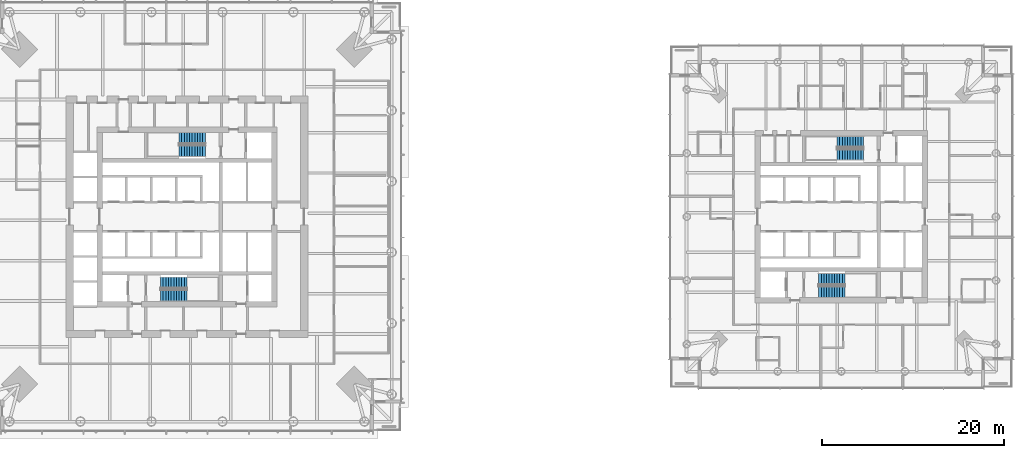
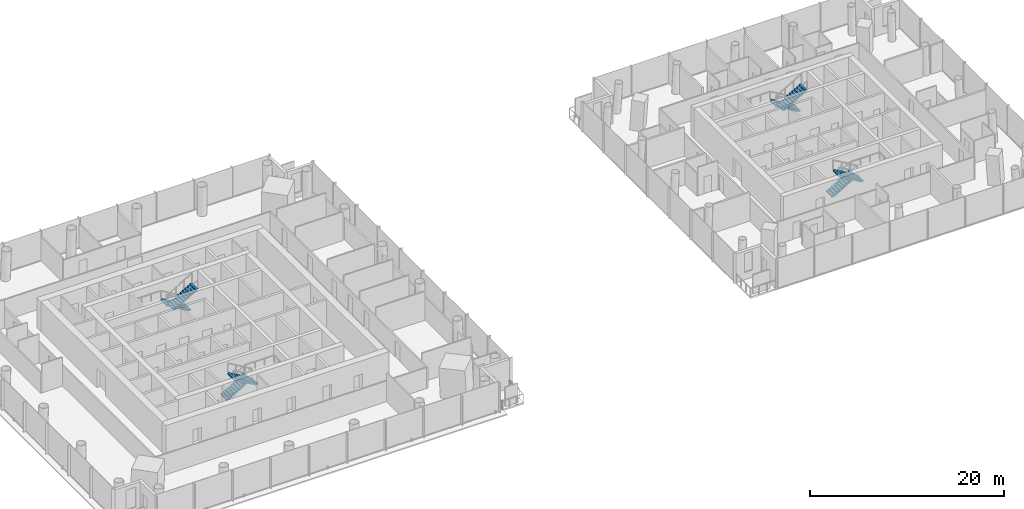
# One storey, part 17 of 26: 8 stair flights, 4 elements without a shape of their own.
"""IFC4 building model written with IfcOpenShell, lengths in metres."""

from ifc_helpers import new_model, si_unit, direction, frame, origin, place, context, subcontext, project, spatial, polyline, outline, extrude, material, type_object, element, aggregate, save


model = new_model("IFC4")

# Units and contexts
model_context = context("Model", 3, precision=1e-05, world=origin(), true_north=direction((0.0, 1.0)))
body_context = subcontext(model_context, "Body", "Model", "MODEL_VIEW")
ifc_project = project(units=[si_unit("LENGTHUNIT", "METRE"), si_unit("AREAUNIT", "SQUARE_METRE"), si_unit("VOLUMEUNIT", "CUBIC_METRE"), si_unit("PLANEANGLEUNIT", "RADIAN"), si_unit("MASSUNIT", "GRAM", prefix="KILO")], contexts=[model_context])

# Site, building, storey
site_placement = place(None, origin())
site = spatial("IfcSite", under=ifc_project, at=site_placement, CompositionType="ELEMENT")
building_placement = place(site_placement, origin())
building = spatial("IfcBuilding", under=site, at=building_placement, Name="Ostroluk Exchange", CompositionType="ELEMENT")
storey_placement = place(building_placement, frame((0.0, 0.0, 66.60009765625)))
storey = spatial("IfcBuildingStorey", under=building, at=storey_placement, Name="L16", CompositionType="ELEMENT", Elevation=66.60009765625)

# Stair, stair flights
ifc_material_1 = material(Name="Concrete C30/37", Category="concrete")
stair_type = type_object("IfcStairType", Name="Exit stair half turn 3800", PredefinedType="HALF_TURN_STAIR", material=ifc_material_1)
stair_1_placement = place(storey_placement, origin())
stair_1 = element("IfcStair", 1, at=stair_1_placement, inside=storey, type_object=stair_type, Name="Stair T1-S1 L16", PredefinedType="HALF_TURN_STAIR")
ifc_material_2 = material(Name="Concrete C30/37", Category="concrete")
stair_flight_type = type_object("IfcStairFlightType", Name="Stair flight 11 risers 172.7 x 290", PredefinedType="STRAIGHT", material=ifc_material_2)
stair_flight_1_placement = place(storey_placement, frame((42.10009765625, 38.77490234375, 0.0), z_axis=(0.0, 0.0, 1.0), x_axis=(1.0, 0.0, 0.0)))
stair_flight_1 = element("IfcStairFlight", 2, at=stair_flight_1_placement, type_object=stair_flight_type, Name="T1-S1 flight 1", NumberOfRisers=11, NumberOfTreads=10, PredefinedType="STRAIGHT", RiserHeight=0.172727273, TreadLength=0.29, context=body_context, shape_type="SweptSolid", body=[
    extrude(outline(polyline([(0.0, 0.0), (0.0, 0.172607421875), (0.2900390625, 0.172607421875), (0.2900390625, 0.345458984375), (0.580078125, 0.345458984375), (0.580078125, 0.51806640625), (0.8701171875, 0.51806640625), (0.8701171875, 0.69091796875), (1.159912109375, 0.69091796875), (1.159912109375, 0.863525390625), (1.449951171875, 0.863525390625), (1.449951171875, 1.036376953125), (1.739990234375, 1.036376953125), (1.739990234375, 1.208984375), (2.030029296875, 1.208984375), (2.030029296875, 1.3818359375), (2.320068359375, 1.3818359375), (2.320068359375, 1.554443359375), (2.610107421875, 1.554443359375), (2.610107421875, 1.727294921875), (2.89990234375, 1.727294921875), (2.89990234375, 1.89990234375), (2.89990234375, 1.552734375), (0.29296875, 0.0), (0.0, 0.0)])), frame((0.0, 0.625, 0.0), z_axis=(0.0, -1.0, 0.0), x_axis=(1.0, 0.0, 0.0)), (0.0, 0.0, 1.0), 1.25),
])
stair_flight_2_placement = place(storey_placement, frame((45.0, 37.324951171875, 1.89990234375), z_axis=(0.0, 0.0, 1.0), x_axis=(-1.0, 0.0, 0.0)))
stair_flight_2 = element("IfcStairFlight", 3, at=stair_flight_2_placement, type_object=stair_flight_type, Name="T1-S1 flight 2", NumberOfRisers=11, NumberOfTreads=10, PredefinedType="STRAIGHT", RiserHeight=0.172727273, TreadLength=0.29, context=body_context, shape_type="SweptSolid", body=[
    extrude(outline(polyline([(0.0, 0.0), (0.0, 0.172607421875), (0.2900390625, 0.172607421875), (0.2900390625, 0.345458984375), (0.580078125, 0.345458984375), (0.580078125, 0.51806640625), (0.8701171875, 0.51806640625), (0.8701171875, 0.69091796875), (1.159912109375, 0.69091796875), (1.159912109375, 0.863525390625), (1.449951171875, 0.863525390625), (1.449951171875, 1.036376953125), (1.739990234375, 1.036376953125), (1.739990234375, 1.208984375), (2.030029296875, 1.208984375), (2.030029296875, 1.3818359375), (2.320068359375, 1.3818359375), (2.320068359375, 1.554443359375), (2.610107421875, 1.554443359375), (2.610107421875, 1.727294921875), (2.89990234375, 1.727294921875), (2.89990234375, 1.89990234375), (2.89990234375, 1.552734375), (0.29296875, 0.0), (0.0, 0.0)])), frame((0.0, 0.625, 0.0), z_axis=(0.0, -1.0, 0.0), x_axis=(1.0, 0.0, 0.0)), (0.0, 0.0, 1.0), 1.25),
])
aggregate(stair_1, [stair_flight_1, stair_flight_2])

stair_2_placement = place(storey_placement, origin())
stair_2 = element("IfcStair", 4, at=stair_2_placement, inside=storey, type_object=stair_type, Name="Stair T1-S2 L16", PredefinedType="HALF_TURN_STAIR")
stair_flight_3_placement = place(storey_placement, frame((47.030029296875, 54.675048828125, 0.0), z_axis=(0.0, 0.0, 1.0), x_axis=(-1.0, 0.0, 0.0)))
stair_flight_3 = element("IfcStairFlight", 5, at=stair_flight_3_placement, type_object=stair_flight_type, Name="T1-S2 flight 1", NumberOfRisers=11, NumberOfTreads=10, PredefinedType="STRAIGHT", RiserHeight=0.172727273, TreadLength=0.29, context=body_context, shape_type="SweptSolid", body=[
    extrude(outline(polyline([(0.0, 0.0), (0.0, 0.172607421875), (0.2900390625, 0.172607421875), (0.2900390625, 0.345458984375), (0.580078125, 0.345458984375), (0.580078125, 0.51806640625), (0.8701171875, 0.51806640625), (0.8701171875, 0.69091796875), (1.159912109375, 0.69091796875), (1.159912109375, 0.863525390625), (1.449951171875, 0.863525390625), (1.449951171875, 1.036376953125), (1.739990234375, 1.036376953125), (1.739990234375, 1.208984375), (2.030029296875, 1.208984375), (2.030029296875, 1.3818359375), (2.320068359375, 1.3818359375), (2.320068359375, 1.554443359375), (2.610107421875, 1.554443359375), (2.610107421875, 1.727294921875), (2.89990234375, 1.727294921875), (2.89990234375, 1.89990234375), (2.89990234375, 1.552734375), (0.29296875, 0.0), (0.0, 0.0)])), frame((0.0, 0.625, 0.0), z_axis=(0.0, -1.0, 0.0), x_axis=(1.0, 0.0, 0.0)), (0.0, 0.0, 1.0), 1.25),
])
stair_flight_4_placement = place(storey_placement, frame((44.1298828125, 53.22509765625, 1.89990234375), z_axis=(0.0, 0.0, 1.0), x_axis=(1.0, 0.0, 0.0)))
stair_flight_4 = element("IfcStairFlight", 6, at=stair_flight_4_placement, type_object=stair_flight_type, Name="T1-S2 flight 2", NumberOfRisers=11, NumberOfTreads=10, PredefinedType="STRAIGHT", RiserHeight=0.172727273, TreadLength=0.29, context=body_context, shape_type="SweptSolid", body=[
    extrude(outline(polyline([(0.0, 0.0), (0.0, 0.172607421875), (0.2900390625, 0.172607421875), (0.2900390625, 0.345458984375), (0.580078125, 0.345458984375), (0.580078125, 0.51806640625), (0.8701171875, 0.51806640625), (0.8701171875, 0.69091796875), (1.159912109375, 0.69091796875), (1.159912109375, 0.863525390625), (1.449951171875, 0.863525390625), (1.449951171875, 1.036376953125), (1.739990234375, 1.036376953125), (1.739990234375, 1.208984375), (2.030029296875, 1.208984375), (2.030029296875, 1.3818359375), (2.320068359375, 1.3818359375), (2.320068359375, 1.554443359375), (2.610107421875, 1.554443359375), (2.610107421875, 1.727294921875), (2.89990234375, 1.727294921875), (2.89990234375, 1.89990234375), (2.89990234375, 1.552734375), (0.29296875, 0.0), (0.0, 0.0)])), frame((0.0, 0.625, 0.0), z_axis=(0.0, -1.0, 0.0), x_axis=(1.0, 0.0, 0.0)), (0.0, 0.0, 1.0), 1.25),
])
aggregate(stair_2, [stair_flight_3, stair_flight_4])

stair_3_placement = place(storey_placement, origin())
stair_3 = element("IfcStair", 7, at=stair_3_placement, inside=storey, type_object=stair_type, Name="Stair T2-S1 L16", PredefinedType="HALF_TURN_STAIR")
stair_flight_5_placement = place(storey_placement, frame((114.5, 39.175048828125, 0.0), z_axis=(0.0, 0.0, 1.0), x_axis=(1.0, 0.0, 0.0)))
stair_flight_5 = element("IfcStairFlight", 8, at=stair_flight_5_placement, type_object=stair_flight_type, Name="T2-S1 flight 1", NumberOfRisers=11, NumberOfTreads=10, PredefinedType="STRAIGHT", RiserHeight=0.172727273, TreadLength=0.29, context=body_context, shape_type="SweptSolid", body=[
    extrude(outline(polyline([(0.0, 0.0), (0.0, 0.172607421875), (0.2900390625, 0.172607421875), (0.2900390625, 0.345458984375), (0.580078125, 0.345458984375), (0.580078125, 0.51806640625), (0.8701171875, 0.51806640625), (0.8701171875, 0.69091796875), (1.159912109375, 0.69091796875), (1.159912109375, 0.863525390625), (1.449951171875, 0.863525390625), (1.449951171875, 1.036376953125), (1.739990234375, 1.036376953125), (1.739990234375, 1.208984375), (2.030029296875, 1.208984375), (2.030029296875, 1.3818359375), (2.320068359375, 1.3818359375), (2.320068359375, 1.554443359375), (2.610107421875, 1.554443359375), (2.610107421875, 1.727294921875), (2.89990234375, 1.727294921875), (2.89990234375, 1.89990234375), (2.89990234375, 1.552734375), (0.29296875, 0.0), (0.0, 0.0)])), frame((0.0, 0.625, 0.0), z_axis=(0.0, -1.0, 0.0), x_axis=(1.0, 0.0, 0.0)), (0.0, 0.0, 1.0), 1.25),
])
stair_flight_6_placement = place(storey_placement, frame((117.39990234375, 37.72509765625, 1.89990234375), z_axis=(0.0, 0.0, 1.0), x_axis=(-1.0, 0.0, 0.0)))
stair_flight_6 = element("IfcStairFlight", 9, at=stair_flight_6_placement, type_object=stair_flight_type, Name="T2-S1 flight 2", NumberOfRisers=11, NumberOfTreads=10, PredefinedType="STRAIGHT", RiserHeight=0.172727273, TreadLength=0.29, context=body_context, shape_type="SweptSolid", body=[
    extrude(outline(polyline([(0.0, 0.0), (0.0, 0.172607421875), (0.2900390625, 0.172607421875), (0.2900390625, 0.345458984375), (0.580078125, 0.345458984375), (0.580078125, 0.51806640625), (0.8701171875, 0.51806640625), (0.8701171875, 0.69091796875), (1.159912109375, 0.69091796875), (1.159912109375, 0.863525390625), (1.449951171875, 0.863525390625), (1.449951171875, 1.036376953125), (1.739990234375, 1.036376953125), (1.739990234375, 1.208984375), (2.030029296875, 1.208984375), (2.030029296875, 1.3818359375), (2.320068359375, 1.3818359375), (2.320068359375, 1.554443359375), (2.610107421875, 1.554443359375), (2.610107421875, 1.727294921875), (2.89990234375, 1.727294921875), (2.89990234375, 1.89990234375), (2.89990234375, 1.552734375), (0.29296875, 0.0), (0.0, 0.0)])), frame((0.0, 0.625, 0.0), z_axis=(0.0, -1.0, 0.0), x_axis=(1.0, 0.0, 0.0)), (0.0, 0.0, 1.0), 1.25),
])
aggregate(stair_3, [stair_flight_5, stair_flight_6])

stair_4_placement = place(storey_placement, origin())
stair_4 = element("IfcStair", 10, at=stair_4_placement, inside=storey, type_object=stair_type, Name="Stair T2-S2 L16", PredefinedType="HALF_TURN_STAIR")
stair_flight_7_placement = place(storey_placement, frame((119.429931640625, 54.27490234375, 0.0), z_axis=(0.0, 0.0, 1.0), x_axis=(-1.0, 0.0, 0.0)))
stair_flight_7 = element("IfcStairFlight", 11, at=stair_flight_7_placement, type_object=stair_flight_type, Name="T2-S2 flight 1", NumberOfRisers=11, NumberOfTreads=10, PredefinedType="STRAIGHT", RiserHeight=0.172727273, TreadLength=0.29, context=body_context, shape_type="SweptSolid", body=[
    extrude(outline(polyline([(0.0, 0.0), (0.0, 0.172607421875), (0.2900390625, 0.172607421875), (0.2900390625, 0.345458984375), (0.580078125, 0.345458984375), (0.580078125, 0.51806640625), (0.8701171875, 0.51806640625), (0.8701171875, 0.69091796875), (1.159912109375, 0.69091796875), (1.159912109375, 0.863525390625), (1.449951171875, 0.863525390625), (1.449951171875, 1.036376953125), (1.739990234375, 1.036376953125), (1.739990234375, 1.208984375), (2.030029296875, 1.208984375), (2.030029296875, 1.3818359375), (2.320068359375, 1.3818359375), (2.320068359375, 1.554443359375), (2.610107421875, 1.554443359375), (2.610107421875, 1.727294921875), (2.89990234375, 1.727294921875), (2.89990234375, 1.89990234375), (2.89990234375, 1.552734375), (0.29296875, 0.0), (0.0, 0.0)])), frame((0.0, 0.625, 0.0), z_axis=(0.0, -1.0, 0.0), x_axis=(1.0, 0.0, 0.0)), (0.0, 0.0, 1.0), 1.25),
])
stair_flight_8_placement = place(storey_placement, frame((116.530029296875, 52.824951171875, 1.89990234375), z_axis=(0.0, 0.0, 1.0), x_axis=(1.0, 0.0, 0.0)))
stair_flight_8 = element("IfcStairFlight", 12, at=stair_flight_8_placement, type_object=stair_flight_type, Name="T2-S2 flight 2", NumberOfRisers=11, NumberOfTreads=10, PredefinedType="STRAIGHT", RiserHeight=0.172727273, TreadLength=0.29, context=body_context, shape_type="SweptSolid", body=[
    extrude(outline(polyline([(0.0, 0.0), (0.0, 0.172607421875), (0.2900390625, 0.172607421875), (0.2900390625, 0.345458984375), (0.580078125, 0.345458984375), (0.580078125, 0.51806640625), (0.8701171875, 0.51806640625), (0.8701171875, 0.69091796875), (1.159912109375, 0.69091796875), (1.159912109375, 0.863525390625), (1.449951171875, 0.863525390625), (1.449951171875, 1.036376953125), (1.739990234375, 1.036376953125), (1.739990234375, 1.208984375), (2.030029296875, 1.208984375), (2.030029296875, 1.3818359375), (2.320068359375, 1.3818359375), (2.320068359375, 1.554443359375), (2.610107421875, 1.554443359375), (2.610107421875, 1.727294921875), (2.89990234375, 1.727294921875), (2.89990234375, 1.89990234375), (2.89990234375, 1.552734375), (0.29296875, 0.0), (0.0, 0.0)])), frame((0.0, 0.625, 0.0), z_axis=(0.0, -1.0, 0.0), x_axis=(1.0, 0.0, 0.0)), (0.0, 0.0, 1.0), 1.25),
])
aggregate(stair_4, [stair_flight_7, stair_flight_8])

save(model, "model.ifc")
